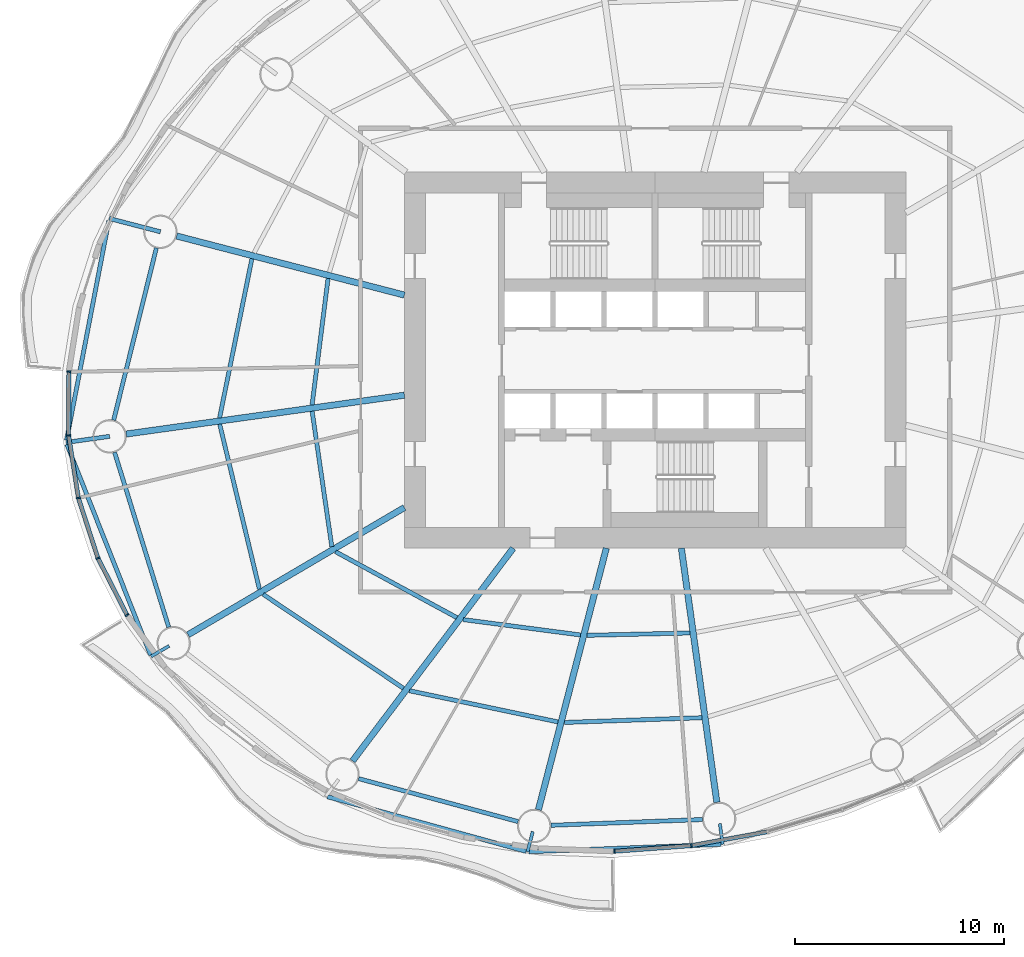
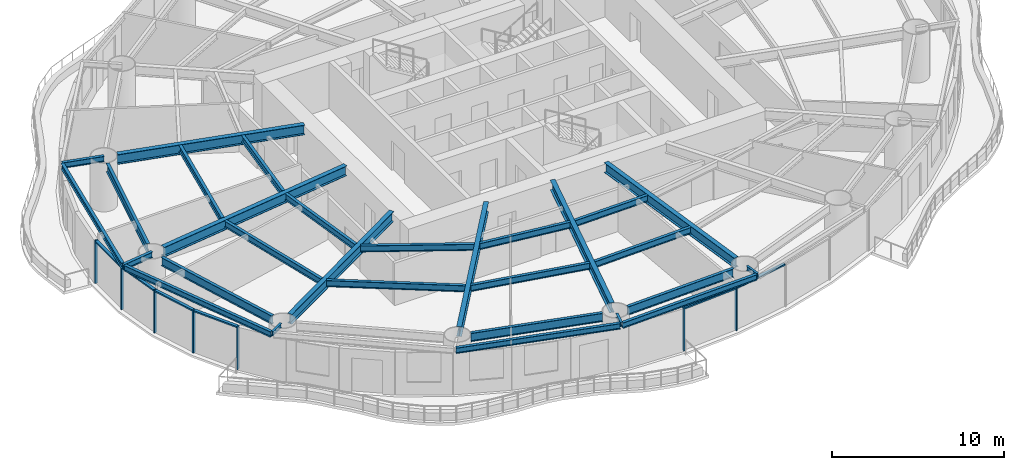
# One storey, part 2 of 16: 29 beams, 13 members, 6 elements without a shape of their own.
"""IFC4 building model written with IfcOpenShell, lengths in metres."""

import ifcopenshell
import ifcopenshell.guid

model = None  # the IFC model being written
_history = None  # IfcOwnerHistory: only IFC2X3 demands one
_inside = {}  # id of a spatial element -> (the spatial element, [elements in it])
_under = {}  # id of a project, library or spatial element -> (it, [spatial elements below it])
_declared = {}  # id of a project -> (the project, [libraries it declares])
_typed = {}  # id of a type object -> (the type object, [elements of that type])
_made_of = {}  # id of a material, layer set ... -> (it, [elements and type objects made of it])


def new_model(schema):
    """Start an empty IFC model of exactly this schema.

    Asked for "IFC4X3", IfcOpenShell would pick the latest addendum, in which some entities
    have other attributes; the version numbers below select the first issue.
    IFC2X3 requires an IfcOwnerHistory on every rooted entity: one is made here for all.
    """
    global model, _history
    if schema == "IFC4X3":
        model = ifcopenshell.file(schema_version=(4, 3, 0, 0))
    else:
        model = ifcopenshell.file(schema=schema)
    _inside.clear()
    _under.clear()
    _declared.clear()
    _typed.clear()
    _made_of.clear()
    _history = None
    if model.schema == "IFC2X3":
        org = make("IfcOrganization", Name="unknown")
        user = make(
            "IfcPersonAndOrganization",
            ThePerson=make("IfcPerson", FamilyName="unknown"),
            TheOrganization=org,
        )
        app = make(
            "IfcApplication",
            ApplicationDeveloper=org,
            Version="unknown",
            ApplicationFullName="unknown",
            ApplicationIdentifier="unknown",
        )
        _history = make(
            "IfcOwnerHistory",
            OwningUser=user,
            OwningApplication=app,
            ChangeAction="ADDED",
            CreationDate=0,
        )
    return model


def make(cls, **values):
    """One entity of the class cls with the attributes given. An attribute that is None is left unset."""
    return model.create_entity(
        cls, **{name: value for name, value in values.items() if value is not None}
    )


def rooted(cls, **values):
    """An entity with a GlobalId (a new one), such as an element, a storey or a relation."""
    return make(cls, GlobalId=ifcopenshell.guid.new(), OwnerHistory=_history, **values)


def si_unit(unit_type, name, prefix=None):
    """IfcSIUnit, for example si_unit("LENGTHUNIT", "METRE", prefix="MILLI")."""
    return make("IfcSIUnit", UnitType=unit_type, Prefix=prefix, Name=name)


def assignment(units):
    """IfcUnitAssignment: the units of a project."""
    return None if units is None else make("IfcUnitAssignment", Units=units)


def point(xyz):
    """IfcCartesianPoint."""
    return None if xyz is None else make("IfcCartesianPoint", Coordinates=xyz)


def direction(xyz):
    """IfcDirection."""
    return None if xyz is None else make("IfcDirection", DirectionRatios=xyz)


def frame(location, z_axis=None, x_axis=None):
    """IfcAxis2Placement3D, a coordinate frame: its origin and axes. An axis left out is left unset."""
    return make(
        "IfcAxis2Placement3D",
        Location=point(location),
        Axis=direction(z_axis),
        RefDirection=direction(x_axis),
    )


def frame_2d(location, x_axis=None):
    """IfcAxis2Placement2D, a coordinate frame in the plane: its origin and x axis."""
    return make(
        "IfcAxis2Placement2D", Location=point(location), RefDirection=direction(x_axis)
    )


def origin():
    """The frame at (0, 0, 0) with its axes left unset."""
    return frame((0.0, 0.0, 0.0))


def origin_2d():
    """The frame at (0, 0) in the plane with its x axis left unset."""
    return frame_2d((0.0, 0.0))


def place(relative_to, where):
    """IfcLocalPlacement: puts the frame where relative to a parent placement (None: the world)."""
    return make(
        "IfcLocalPlacement", PlacementRelTo=relative_to, RelativePlacement=where
    )


def context(
    kind, dimensions, precision=None, world=None, true_north=None, identifier=None
):
    """IfcGeometricRepresentationContext, for example the 3D "Model" context."""
    return make(
        "IfcGeometricRepresentationContext",
        ContextIdentifier=identifier,
        ContextType=kind,
        CoordinateSpaceDimension=dimensions,
        Precision=precision,
        WorldCoordinateSystem=world,
        TrueNorth=true_north,
    )


def subcontext(parent, identifier, kind, view, scale=None):
    """IfcGeometricRepresentationSubContext, for example "Body" below "Model"."""
    return make(
        "IfcGeometricRepresentationSubContext",
        ContextIdentifier=identifier,
        ContextType=kind,
        ParentContext=parent,
        TargetScale=scale,
        TargetView=view,
    )


def project(units=None, contexts=None):
    """IfcProject with its units and contexts."""
    return rooted(
        "IfcProject",
        Name="project",
        RepresentationContexts=contexts,
        UnitsInContext=assignment(units),
    )


def spatial(cls, under=None, at=None, **own):
    """A site, building, storey or space (cls), placed at a placement, below another one or the project."""
    s = rooted(cls, ObjectPlacement=at, **own)
    if under is not None:
        _under.setdefault(under.id(), (under, []))[1].append(s)
    return s


def profile(cls, at=None, kind="AREA", **sizes):
    """A parametric profile (cls). Its sizes go by their IFC names, for example OverallWidth=200.0."""
    return make(cls, ProfileType=kind, Position=at, **sizes)


def rectangle(**sizes):
    """IfcRectangleProfileDef."""
    return profile("IfcRectangleProfileDef", **sizes)


def i_section(**sizes):
    """IfcIShapeProfileDef."""
    return profile("IfcIShapeProfileDef", **sizes)


def extrude(swept, where, along, depth):
    """IfcExtrudedAreaSolid: the profile swept, set in the frame where, extruded along a direction by depth."""
    return make(
        "IfcExtrudedAreaSolid",
        SweptArea=swept,
        Position=where,
        ExtrudedDirection=direction(along),
        Depth=depth,
    )


def shape(context_of_items, identifier, shape_type, items):
    """IfcShapeRepresentation: the items that make up one representation, for example the "Body"."""
    return make(
        "IfcShapeRepresentation",
        ContextOfItems=context_of_items,
        RepresentationIdentifier=identifier,
        RepresentationType=shape_type,
        Items=items,
    )


def material(Name=None, Category=None):
    """IfcMaterial."""
    return make("IfcMaterial", Name=Name, Category=Category)


def material_profile(
    of_material, cross_section, Name=None, Category=None, Priority=None
):
    """IfcMaterialProfile: a cross section and its material."""
    return make(
        "IfcMaterialProfile",
        Name=Name,
        Material=of_material,
        Profile=cross_section,
        Priority=Priority,
        Category=Category,
    )


def profile_set(profiles, Name=None, composite=None):
    """IfcMaterialProfileSet."""
    return make(
        "IfcMaterialProfileSet",
        Name=Name,
        MaterialProfiles=profiles,
        CompositeProfile=composite,
    )


def made_of(thing, what):
    """Note that an element or type object is made of a material, layer set ...; save() writes the relation."""
    if what is not None:
        _made_of.setdefault(what.id(), (what, []))[1].append(thing)
    return thing


def type_object(cls, material=None, **own):
    """A type object (cls), such as IfcWallType, which elements share."""
    return made_of(rooted(cls, **own), material)


def element(
    cls,
    number,
    at=None,
    inside=None,
    cuts=None,
    type_object=None,
    material=None,
    context=None,
    identifier="Body",
    shape_type=None,
    held_by="IfcProductDefinitionShape",
    body=None,
    shapes=None,
    **own,
):
    """One element of the class cls, such as IfcWall. Its Tag is "e" and its number.

    at: its placement. inside: the storey or other place that contains it. cuts: it is an
    opening in that element (IfcRelVoidsElement). A single representation is given by context,
    identifier, shape_type and body (its items); several are given by shapes. held_by: the class
    of the entity that holds the representations. save() writes the other relations.
    """
    e = rooted(cls, Tag="e%d" % number, ObjectPlacement=at, **own)
    if body is not None:
        shapes = [shape(context, identifier, shape_type, body)]
    if shapes is not None:
        e.Representation = make(held_by, Representations=shapes)
    if inside is not None:
        _inside.setdefault(inside.id(), (inside, []))[1].append(e)
    if cuts is not None:
        rooted(
            "IfcRelVoidsElement", RelatingBuildingElement=cuts, RelatedOpeningElement=e
        )
    if type_object is not None:
        _typed.setdefault(type_object.id(), (type_object, []))[1].append(e)
    return made_of(e, material)


def aggregate(whole, parts):
    """IfcRelAggregates: a whole, such as a stair, and the parts it consists of."""
    return rooted("IfcRelAggregates", RelatingObject=whole, RelatedObjects=parts)


def save(model, path):
    """Write the relations noted so far, then the file.

    IfcRelAggregates (storeys below a building ...), IfcRelContainedInSpatialStructure (elements
    in a storey), IfcRelDefinesByType, IfcRelAssociatesMaterial and IfcRelDeclares: one each for
    every whole, place, type object, material and project.
    """
    for whole, parts in _under.values():
        aggregate(whole, parts)
    for where, things in _inside.values():
        rooted(
            "IfcRelContainedInSpatialStructure",
            RelatedElements=things,
            RelatingStructure=where,
        )
    for kind, things in _typed.values():
        rooted("IfcRelDefinesByType", RelatedObjects=things, RelatingType=kind)
    for what, things in _made_of.values():
        rooted("IfcRelAssociatesMaterial", RelatedObjects=things, RelatingMaterial=what)
    for by, libraries in _declared.values():
        rooted("IfcRelDeclares", RelatingContext=by, RelatedDefinitions=libraries)
    model.write(path)


model = new_model("IFC4")

# Units and contexts
model_context = context("Model", 3, precision=1e-05, world=origin(), true_north=direction((0.0, 1.0)))
body_context = subcontext(model_context, "Body", "Model", "MODEL_VIEW")
ifc_project = project(units=[si_unit("LENGTHUNIT", "METRE"), si_unit("AREAUNIT", "SQUARE_METRE"), si_unit("VOLUMEUNIT", "CUBIC_METRE"), si_unit("PLANEANGLEUNIT", "RADIAN"), si_unit("MASSUNIT", "GRAM", prefix="KILO")], contexts=[model_context])

# Site, building, storey
site_placement = place(None, origin())
site = spatial("IfcSite", under=ifc_project, at=site_placement, CompositionType="ELEMENT")
building_placement = place(site_placement, origin())
building = spatial("IfcBuilding", under=site, at=building_placement, Name="Vermilion Reach Broadcast Tower", CompositionType="ELEMENT")
storey_placement = place(building_placement, frame((0.0, 0.0, 88.60009765625)))
storey = spatial("IfcBuildingStorey", under=building, at=storey_placement, Name="L19", CompositionType="ELEMENT", Elevation=88.60009765625)

# Beams
ifc_material_1 = material(Name="Steel S355J2", Category="steel")
ifc_material_profile_1 = material_profile(ifc_material_1, i_section(OverallWidth=0.199951171875, OverallDepth=0.39990234375, WebThickness=0.008056640625, FlangeThickness=0.012939453125, at=origin_2d()), Name="S355J2 HN 400x200x8x13")
ifc_profile_set_1 = profile_set([ifc_material_profile_1], Name="Steel S355J2")
beam_type_1 = type_object("IfcBeamType", Name="EB2 HN 400x200x8x13", PredefinedType="BEAM", material=ifc_profile_set_1)
beam_1_placement = place(storey_placement, frame((-32.145751953125, 6.682861328125, 3.25), z_axis=(-0.189254914163, -0.981927989959, 0.0), x_axis=(0.981927989959, -0.189254914163, 0.0)))
element("IfcBeam", 1, at=beam_1_placement, inside=storey, type_object=beam_type_1, Name="Edge beam EB2-07", PredefinedType="BEAM", context=body_context, shape_type="SweptSolid", body=[
    extrude(i_section(OverallWidth=0.199951171875, OverallDepth=0.39990234375, WebThickness=0.008056640625, FlangeThickness=0.012939453125, at=origin_2d()), origin(), (0.0, 0.0, 1.0), 10.709716796875),
])
beam_2_placement = place(storey_placement, frame((-34.154541015625, -4.03271484375, 3.25), z_axis=(0.368963452636, -0.929443903966, 0.0), x_axis=(0.929443903966, 0.368963452636, 0.0)))
element("IfcBeam", 2, at=beam_2_placement, inside=storey, type_object=beam_type_1, Name="Edge beam EB2-08", PredefinedType="BEAM", context=body_context, shape_type="SweptSolid", body=[
    extrude(i_section(OverallWidth=0.199951171875, OverallDepth=0.39990234375, WebThickness=0.008056640625, FlangeThickness=0.012939453125, at=origin_2d()), origin(), (0.0, 0.0, 1.0), 10.844482421875),
])
beam_3_placement = place(storey_placement, frame((-21.68115234375, -20.896240234375, 3.25), z_axis=(0.964178310585, -0.265254944152, 0.0), x_axis=(0.265254944152, 0.964178310585, 0.0)))
element("IfcBeam", 3, at=beam_3_placement, inside=storey, type_object=beam_type_1, Name="Edge beam EB2-10", PredefinedType="BEAM", context=body_context, shape_type="SweptSolid", body=[
    extrude(i_section(OverallWidth=0.199951171875, OverallDepth=0.39990234375, WebThickness=0.008056640625, FlangeThickness=0.012939453125, at=origin_2d()), origin(), (0.0, 0.0, 1.0), 9.854736328125),
])
beam_4_placement = place(storey_placement, frame((-12.029052734375, -23.527099609375, 3.25), z_axis=(0.999265989975, 0.038307718274, 0.0), x_axis=(-0.038307718274, 0.999265989975, 0.0)))
element("IfcBeam", 4, at=beam_4_placement, inside=storey, type_object=beam_type_1, Name="Edge beam EB2-11", PredefinedType="BEAM", context=body_context, shape_type="SweptSolid", body=[
    extrude(i_section(OverallWidth=0.199951171875, OverallDepth=0.39990234375, WebThickness=0.008056640625, FlangeThickness=0.012939453125, at=origin_2d()), origin(), (0.0, 0.0, 1.0), 9.196533203125),
])
ifc_material_2 = material(Name="Steel S355J2", Category="steel")
ifc_material_profile_2 = material_profile(ifc_material_2, i_section(OverallWidth=0.300048828125, OverallDepth=0.699951171875, WebThickness=0.012939453125, FlangeThickness=0.02392578125, at=origin_2d()), Name="S355J2 HN 700x300x13x24")
ifc_profile_set_2 = profile_set([ifc_material_profile_2], Name="Steel S355J2")
beam_type_2 = type_object("IfcBeamType", Name="G2 HN 700x300x13x24", PredefinedType="BEAM", material=ifc_profile_set_2)
beam_5_placement = place(storey_placement, frame((-18.0, 3.114501953125, 3.099853515625), z_axis=(-0.967926079816, 0.2512351568, 0.0), x_axis=(-0.2512351568, -0.967926079816, 0.0)))
element("IfcBeam", 5, at=beam_5_placement, inside=storey, type_object=beam_type_2, Name="Girder G2-07", PredefinedType="BEAM", context=body_context, shape_type="SweptSolid", body=[
    extrude(i_section(OverallWidth=0.300048828125, OverallDepth=0.699951171875, WebThickness=0.012939453125, FlangeThickness=0.02392578125, at=origin_2d()), origin(), (0.0, 0.0, 1.0), 11.265625),
])
beam_6_placement = place(storey_placement, frame((-18.0, -1.67578125, 3.099853515625), z_axis=(-0.990389457618, -0.138306623986, 0.0), x_axis=(0.138306623986, -0.990389457618, 0.0)))
element("IfcBeam", 6, at=beam_6_placement, inside=storey, type_object=beam_type_2, Name="Girder G2-08", PredefinedType="BEAM", context=body_context, shape_type="SweptSolid", body=[
    extrude(i_section(OverallWidth=0.300048828125, OverallDepth=0.699951171875, WebThickness=0.012939453125, FlangeThickness=0.02392578125, at=origin_2d()), origin(), (0.0, 0.0, 1.0), 13.445556640625),
])
beam_7_placement = place(storey_placement, frame((-18.0, -7.054443359375, 3.099853515625), z_axis=(-0.862071616631, -0.506786471603, 0.0), x_axis=(0.506786471603, -0.862071616631, 0.0)))
element("IfcBeam", 7, at=beam_7_placement, inside=storey, type_object=beam_type_2, Name="Girder G2-09", PredefinedType="BEAM", context=body_context, shape_type="SweptSolid", body=[
    extrude(i_section(OverallWidth=0.300048828125, OverallDepth=0.699951171875, WebThickness=0.012939453125, FlangeThickness=0.02392578125, at=origin_2d()), origin(), (0.0, 0.0, 1.0), 12.01025390625),
])
beam_8_placement = place(storey_placement, frame((-12.794189453125, -9.0, 3.099853515625), z_axis=(-0.602519842365, -0.798103902733, 0.0), x_axis=(0.798103902733, -0.602519842365, 0.0)))
element("IfcBeam", 8, at=beam_8_placement, inside=storey, type_object=beam_type_2, Name="Girder G2-10", PredefinedType="BEAM", context=body_context, shape_type="SweptSolid", body=[
    extrude(i_section(OverallWidth=0.300048828125, OverallDepth=0.699951171875, WebThickness=0.012939453125, FlangeThickness=0.02392578125, at=origin_2d()), origin(), (0.0, 0.0, 1.0), 12.758544921875),
])
beam_9_placement = place(storey_placement, frame((-8.3359375, -9.0, 3.099853515625), z_axis=(-0.25121695316, -0.967930804575, 0.0), x_axis=(0.967930804575, -0.25121695316, 0.0)))
element("IfcBeam", 9, at=beam_9_placement, inside=storey, type_object=beam_type_2, Name="Girder G2-11", PredefinedType="BEAM", context=body_context, shape_type="SweptSolid", body=[
    extrude(i_section(OverallWidth=0.300048828125, OverallDepth=0.699951171875, WebThickness=0.012939453125, FlangeThickness=0.02392578125, at=origin_2d()), origin(), (0.0, 0.0, 1.0), 12.93505859375),
])
beam_10_placement = place(storey_placement, frame((-4.7431640625, -9.0, 3.099853515625), z_axis=(0.138317561234, -0.990387930184, 0.0), x_axis=(0.990387930184, 0.138317561234, 0.0)))
element("IfcBeam", 10, at=beam_10_placement, inside=storey, type_object=beam_type_2, Name="Girder G2-12", PredefinedType="BEAM", context=body_context, shape_type="SweptSolid", body=[
    extrude(i_section(OverallWidth=0.300048828125, OverallDepth=0.699951171875, WebThickness=0.012939453125, FlangeThickness=0.02392578125, at=origin_2d()), origin(), (0.0, 0.0, 1.0), 12.281494140625),
])
ifc_material_3 = material(Name="Steel S355J2", Category="steel")
ifc_material_profile_3 = material_profile(ifc_material_3, i_section(OverallWidth=0.199951171875, OverallDepth=0.39990234375, WebThickness=0.008056640625, FlangeThickness=0.012939453125, at=origin_2d()), Name="S355J2 HN 400x200x8x13")
ifc_profile_set_3 = profile_set([ifc_material_profile_3], Name="Steel S355J2")
beam_type_3 = type_object("IfcBeamType", Name="GC2 HN 400x200x8x13", PredefinedType="BEAM", material=ifc_profile_set_3)
beam_11_placement = place(storey_placement, frame((-29.6787109375, 6.145751953125, 3.25), z_axis=(-0.96792303802, 0.251246875545, 0.0), x_axis=(-0.251246875545, -0.96792303802, 0.0)))
element("IfcBeam", 11, at=beam_11_placement, inside=storey, type_object=beam_type_3, Name="Cantilever girder GC2-07", PredefinedType="BEAM", context=body_context, shape_type="SweptSolid", body=[
    extrude(i_section(OverallWidth=0.199951171875, OverallDepth=0.39990234375, WebThickness=0.008056640625, FlangeThickness=0.012939453125, at=origin_2d()), origin(), (0.0, 0.0, 1.0), 2.529296875),
])
beam_12_placement = place(storey_placement, frame((-32.10888671875, -3.646240234375, 3.25), z_axis=(-0.990403787257, -0.138203973125, 0.0), x_axis=(0.138203973125, -0.990403787257, 0.0)))
element("IfcBeam", 12, at=beam_12_placement, inside=storey, type_object=beam_type_3, Name="Cantilever girder GC2-08", PredefinedType="BEAM", context=body_context, shape_type="SweptSolid", body=[
    extrude(i_section(OverallWidth=0.199951171875, OverallDepth=0.39990234375, WebThickness=0.008056640625, FlangeThickness=0.012939453125, at=origin_2d()), origin(), (0.0, 0.0, 1.0), 2.10400390625),
])
ifc_material_4 = material(Name="Steel S355J2", Category="steel")
ifc_material_profile_4 = material_profile(ifc_material_4, i_section(OverallWidth=0.14990234375, OverallDepth=0.300048828125, WebThickness=0.006591796875, FlangeThickness=0.009033203125, at=origin_2d()), Name="S355J2 HN 300x150x6.5x9")
ifc_profile_set_4 = profile_set([ifc_material_profile_4], Name="Steel S355J2")
beam_type_4 = type_object("IfcBeamType", Name="GS2 HN 300x150x6.5x9", PredefinedType="BEAM", material=ifc_profile_set_4)
beam_13_placement = place(storey_placement, frame((-29.26318359375, -13.67578125, 3.2998046875), z_axis=(-0.862047161964, -0.506828068037, 0.0), x_axis=(0.506828068037, -0.862047161964, 0.0)))
element("IfcBeam", 13, at=beam_13_placement, inside=storey, type_object=beam_type_4, Name="Cantilever stub GS2-09", PredefinedType="BEAM", context=body_context, shape_type="SweptSolid", body=[
    extrude(i_section(OverallWidth=0.14990234375, OverallDepth=0.300048828125, WebThickness=0.006591796875, FlangeThickness=0.009033203125, at=origin_2d()), origin(), (0.0, 0.0, 1.0), 1.0),
])
beam_14_placement = place(storey_placement, frame((-11.85595703125, -22.562255859375, 3.2998046875), z_axis=(-0.251258738033, -0.967919958758, 0.0), x_axis=(0.967919958758, -0.251258738033, 0.0)))
element("IfcBeam", 14, at=beam_14_placement, inside=storey, type_object=beam_type_4, Name="Cantilever stub GS2-11", PredefinedType="BEAM", context=body_context, shape_type="SweptSolid", body=[
    extrude(i_section(OverallWidth=0.14990234375, OverallDepth=0.300048828125, WebThickness=0.006591796875, FlangeThickness=0.009033203125, at=origin_2d()), origin(), (0.0, 0.0, 1.0), 0.999755859375),
])
beam_15_placement = place(storey_placement, frame((-2.90234375, -22.181640625, 3.2998046875), z_axis=(0.138413206764, -0.990374567622, 0.0), x_axis=(0.990374567622, 0.138413206764, 0.0)))
element("IfcBeam", 15, at=beam_15_placement, inside=storey, type_object=beam_type_4, Name="Cantilever stub GS2-12", PredefinedType="BEAM", context=body_context, shape_type="SweptSolid", body=[
    extrude(i_section(OverallWidth=0.14990234375, OverallDepth=0.300048828125, WebThickness=0.006591796875, FlangeThickness=0.009033203125, at=origin_2d()), origin(), (0.0, 0.0, 1.0), 1.0),
])
ifc_material_5 = material(Name="Steel S355J2", Category="steel")
ifc_material_profile_5 = material_profile(ifc_material_5, i_section(OverallWidth=0.199951171875, OverallDepth=0.60009765625, WebThickness=0.010986328125, FlangeThickness=0.01708984375, at=origin_2d()), Name="S355J2 HN 600x200x11x17")
ifc_profile_set_5 = profile_set([ifc_material_profile_5], Name="Steel S355J2")
beam_type_5 = type_object("IfcBeamType", Name="RB2 HN 600x200x11x17", PredefinedType="BEAM", material=ifc_profile_set_5)
beam_16_placement = place(storey_placement, frame((-29.871337890625, 5.369384765625, 3.14990234375), z_axis=(-0.240863809798, -0.970558924089, 0.0), x_axis=(0.970558924089, -0.240863809798, 0.0)))
element("IfcBeam", 16, at=beam_16_placement, inside=storey, type_object=beam_type_5, Name="Ring beam RB2-07", PredefinedType="BEAM", context=body_context, shape_type="SweptSolid", body=[
    extrude(i_section(OverallWidth=0.199951171875, OverallDepth=0.60009765625, WebThickness=0.010986328125, FlangeThickness=0.01708984375, at=origin_2d()), origin(), (0.0, 0.0, 1.0), 8.489013671875),
])
beam_17_placement = place(storey_placement, frame((-31.872314453125, -4.410400390625, 3.14990234375), z_axis=(0.295788439635, -0.95525347368, 0.0), x_axis=(0.95525347368, 0.295788439635, 0.0)))
element("IfcBeam", 17, at=beam_17_placement, inside=storey, type_object=beam_type_5, Name="Ring beam RB2-08", PredefinedType="BEAM", context=body_context, shape_type="SweptSolid", body=[
    extrude(i_section(OverallWidth=0.199951171875, OverallDepth=0.60009765625, WebThickness=0.010986328125, FlangeThickness=0.01708984375, at=origin_2d()), origin(), (0.0, 0.0, 1.0), 8.763916015625),
])
beam_18_placement = place(storey_placement, frame((-20.19091796875, -20.029296875, 3.14990234375), z_axis=(0.965541463834, -0.260249268234, 0.0), x_axis=(0.260249268234, 0.965541463834, 0.0)))
element("IfcBeam", 18, at=beam_18_placement, inside=storey, type_object=beam_type_5, Name="Ring beam RB2-10", PredefinedType="BEAM", context=body_context, shape_type="SweptSolid", body=[
    extrude(i_section(OverallWidth=0.199951171875, OverallDepth=0.60009765625, WebThickness=0.010986328125, FlangeThickness=0.01708984375, at=origin_2d()), origin(), (0.0, 0.0, 1.0), 7.904541015625),
])
beam_19_placement = place(storey_placement, frame((-10.987060546875, -22.263916015625, 3.14990234375), z_axis=(0.999268558327, 0.038240663418, 0.0), x_axis=(-0.038240663418, 0.999268558327, 0.0)))
element("IfcBeam", 19, at=beam_19_placement, inside=storey, type_object=beam_type_5, Name="Ring beam RB2-11", PredefinedType="BEAM", context=body_context, shape_type="SweptSolid", body=[
    extrude(i_section(OverallWidth=0.199951171875, OverallDepth=0.60009765625, WebThickness=0.010986328125, FlangeThickness=0.01708984375, at=origin_2d()), origin(), (0.0, 0.0, 1.0), 7.259033203125),
])
ifc_material_6 = material(Name="Steel S355J2", Category="steel")
ifc_material_profile_6 = material_profile(ifc_material_6, i_section(OverallWidth=0.199951171875, OverallDepth=0.449951171875, WebThickness=0.009033203125, FlangeThickness=0.013916015625, at=origin_2d()), Name="S355J2 HN 450x200x9x14")
ifc_profile_set_6 = profile_set([ifc_material_profile_6], Name="Steel S355J2")
beam_type_6 = type_object("IfcBeamType", Name="SB2 HN 450x200x9x14", PredefinedType="BEAM", material=ifc_profile_set_6)
beam_20_placement = place(storey_placement, frame((-21.65380859375, 3.907958984375, 3.224853515625), z_axis=(-0.125557241128, -0.992086376885, 0.0), x_axis=(0.992086376885, -0.125557241128, 0.0)))
element("IfcBeam", 20, at=beam_20_placement, inside=storey, type_object=beam_type_6, Name="Secondary beam SB2-07-1", PredefinedType="BEAM", context=body_context, shape_type="SweptSolid", body=[
    extrude(i_section(OverallWidth=0.199951171875, OverallDepth=0.449951171875, WebThickness=0.009033203125, FlangeThickness=0.013916015625, at=origin_2d()), origin(), (0.0, 0.0, 1.0), 6.097900390625),
])
beam_21_placement = place(storey_placement, frame((-25.29931640625, 4.854248046875, 3.224853515625), z_axis=(-0.19906416804, -0.979986457561, 0.0), x_axis=(0.979986457561, -0.19906416804, 0.0)))
element("IfcBeam", 21, at=beam_21_placement, inside=storey, type_object=beam_type_6, Name="Secondary beam SB2-07-2", PredefinedType="BEAM", context=body_context, shape_type="SweptSolid", body=[
    extrude(i_section(OverallWidth=0.199951171875, OverallDepth=0.449951171875, WebThickness=0.009033203125, FlangeThickness=0.013916015625, at=origin_2d()), origin(), (0.0, 0.0, 1.0), 7.76953125),
])
beam_22_placement = place(storey_placement, frame((-22.417236328125, -2.444091796875, 3.224853515625), z_axis=(0.143973706518, -0.989581513485, 0.0), x_axis=(0.989581513485, 0.143973706518, 0.0)))
element("IfcBeam", 22, at=beam_22_placement, inside=storey, type_object=beam_type_6, Name="Secondary beam SB2-08-1", PredefinedType="BEAM", context=body_context, shape_type="SweptSolid", body=[
    extrude(i_section(OverallWidth=0.199951171875, OverallDepth=0.449951171875, WebThickness=0.009033203125, FlangeThickness=0.013916015625, at=origin_2d()), origin(), (0.0, 0.0, 1.0), 6.547119140625),
])
beam_23_placement = place(storey_placement, frame((-26.84228515625, -3.06201171875, 3.224853515625), z_axis=(0.234260568382, -0.972173845617, 0.0), x_axis=(0.972173845617, 0.234260568382, 0.0)))
element("IfcBeam", 23, at=beam_23_placement, inside=storey, type_object=beam_type_6, Name="Secondary beam SB2-08-2", PredefinedType="BEAM", context=body_context, shape_type="SweptSolid", body=[
    extrude(i_section(OverallWidth=0.199951171875, OverallDepth=0.449951171875, WebThickness=0.009033203125, FlangeThickness=0.013916015625, at=origin_2d()), origin(), (0.0, 0.0, 1.0), 8.123779296875),
])
beam_24_placement = place(storey_placement, frame((-21.29736328125, -9.1669921875, 3.224853515625), z_axis=(0.878713106774, -0.477350265512, 0.0), x_axis=(0.477350265512, 0.878713106774, 0.0)))
element("IfcBeam", 24, at=beam_24_placement, inside=storey, type_object=beam_type_6, Name="Secondary beam SB2-09-1", PredefinedType="BEAM", context=body_context, shape_type="SweptSolid", body=[
    extrude(i_section(OverallWidth=0.199951171875, OverallDepth=0.449951171875, WebThickness=0.009033203125, FlangeThickness=0.013916015625, at=origin_2d()), origin(), (0.0, 0.0, 1.0), 6.60888671875),
])
beam_25_placement = place(storey_placement, frame((-24.76416015625, -11.204833984375, 3.224853515625), z_axis=(0.830915400975, -0.556398774641, 0.0), x_axis=(0.556398774641, 0.830915400975, 0.0)))
element("IfcBeam", 25, at=beam_25_placement, inside=storey, type_object=beam_type_6, Name="Secondary beam SB2-09-2", PredefinedType="BEAM", context=body_context, shape_type="SweptSolid", body=[
    extrude(i_section(OverallWidth=0.199951171875, OverallDepth=0.449951171875, WebThickness=0.009033203125, FlangeThickness=0.013916015625, at=origin_2d()), origin(), (0.0, 0.0, 1.0), 8.087646484375),
])
beam_26_placement = place(storey_placement, frame((-15.185546875, -12.416748046875, 3.224853515625), z_axis=(0.991498686864, -0.130116693573, 0.0), x_axis=(0.130116693573, 0.991498686864, 0.0)))
element("IfcBeam", 26, at=beam_26_placement, inside=storey, type_object=beam_type_6, Name="Secondary beam SB2-10-1", PredefinedType="BEAM", context=body_context, shape_type="SweptSolid", body=[
    extrude(i_section(OverallWidth=0.199951171875, OverallDepth=0.449951171875, WebThickness=0.009033203125, FlangeThickness=0.013916015625, at=origin_2d()), origin(), (0.0, 0.0, 1.0), 5.66455078125),
])
beam_27_placement = place(storey_placement, frame((-17.7568359375, -15.822509765625, 3.224853515625), z_axis=(0.978631382549, -0.205622511148, 0.0), x_axis=(0.205622511148, 0.978631382549, 0.0)))
element("IfcBeam", 27, at=beam_27_placement, inside=storey, type_object=beam_type_6, Name="Secondary beam SB2-10-2", PredefinedType="BEAM", context=body_context, shape_type="SweptSolid", body=[
    extrude(i_section(OverallWidth=0.199951171875, OverallDepth=0.449951171875, WebThickness=0.009033203125, FlangeThickness=0.013916015625, at=origin_2d()), origin(), (0.0, 0.0, 1.0), 7.262939453125),
])
beam_28_placement = place(storey_placement, frame((-9.26318359375, -13.169921875, 3.224853515625), z_axis=(0.999742320425, 0.022700060602, 0.0), x_axis=(-0.022700060602, 0.999742320425, 0.0)))
element("IfcBeam", 28, at=beam_28_placement, inside=storey, type_object=beam_type_6, Name="Secondary beam SB2-11-1", PredefinedType="BEAM", context=body_context, shape_type="SweptSolid", body=[
    extrude(i_section(OverallWidth=0.199951171875, OverallDepth=0.449951171875, WebThickness=0.009033203125, FlangeThickness=0.013916015625, at=origin_2d()), origin(), (0.0, 0.0, 1.0), 4.9365234375),
])
beam_29_placement = place(storey_placement, frame((-10.345947265625, -17.34130859375, 3.224853515625), z_axis=(0.999404722387, 0.03449928797, 0.0), x_axis=(-0.03449928797, 0.999404722387, 0.0)))
element("IfcBeam", 29, at=beam_29_placement, inside=storey, type_object=beam_type_6, Name="Secondary beam SB2-11-2", PredefinedType="BEAM", context=body_context, shape_type="SweptSolid", body=[
    extrude(i_section(OverallWidth=0.199951171875, OverallDepth=0.449951171875, WebThickness=0.009033203125, FlangeThickness=0.013916015625, at=origin_2d()), origin(), (0.0, 0.0, 1.0), 6.58837890625),
])

# Curtain wall, member
ifc_material_7 = material(Name="Low-e laminated clear glass in aluminium frame", Category="aluminium")
curtain_wall_type = type_object("IfcCurtainWallType", Name="Slot curtain wall", PredefinedType="NOTDEFINED", material=ifc_material_7)
placement = place(storey_placement, origin())
curtain_wall_1 = element("IfcCurtainWall", 30, at=placement, inside=storey, type_object=curtain_wall_type, Name="Slot curtain wall L19 22", PredefinedType="NOTDEFINED")
ifc_material_8 = material(Name="Anodised aluminium", Category="aluminium")
ifc_material_profile_7 = material_profile(ifc_material_8, rectangle(XDim=0.199951171875, YDim=0.080078125, at=origin_2d()), Name="Slot mullion 80 x 200")
ifc_profile_set_7 = profile_set([ifc_material_profile_7], Name="Anodised aluminium")
member_type_1 = type_object("IfcMemberType", Name="Slot mullion 80 x 200", PredefinedType="MULLION", material=ifc_profile_set_7)
member_1_placement = place(storey_placement, frame((-34.061279296875, -0.547119140625, 0.0), z_axis=(0.0, 0.0, 1.0), x_axis=(0.996731910355, -0.080780560043, 0.0)))
member_1 = element("IfcMember", 31, at=member_1_placement, type_object=member_type_1, Name="Slot mullion L19 22", PredefinedType="MULLION", context=body_context, shape_type="SweptSolid", body=[
    extrude(rectangle(XDim=0.199951171875, YDim=0.080078125, at=origin_2d()), origin(), (0.0, 0.0, 1.0), 3.0498046875),
])

curtain_wall_2 = element("IfcCurtainWall", 32, at=placement, inside=storey, type_object=curtain_wall_type, Name="Slot curtain wall L19 23", PredefinedType="NOTDEFINED")
member_2_placement = place(storey_placement, frame((-34.072265625, -3.603271484375, 0.0), z_axis=(0.0, 0.0, 1.0), x_axis=(0.997144259613, 0.075520364941, 0.0)))
member_2 = element("IfcMember", 33, at=member_2_placement, type_object=member_type_1, Name="Slot mullion L19 23", PredefinedType="MULLION", context=body_context, shape_type="SweptSolid", body=[
    extrude(rectangle(XDim=0.199951171875, YDim=0.080078125, at=origin_2d()), origin(), (0.0, 0.0, 1.0), 3.0498046875),
])

curtain_wall_3 = element("IfcCurtainWall", 34, at=placement, inside=storey, type_object=curtain_wall_type, Name="Slot curtain wall L19 24", PredefinedType="NOTDEFINED")
member_3_placement = place(storey_placement, frame((-33.605224609375, -6.596923828125, 0.0), z_axis=(0.0, 0.0, 1.0), x_axis=(0.972613849465, 0.232426977412, 0.0)))
member_3 = element("IfcMember", 35, at=member_3_placement, type_object=member_type_1, Name="Slot mullion L19 24", PredefinedType="MULLION", context=body_context, shape_type="SweptSolid", body=[
    extrude(rectangle(XDim=0.199951171875, YDim=0.080078125, at=origin_2d()), origin(), (0.0, 0.0, 1.0), 3.0498046875),
])

# Curtain wall, members
curtain_wall_4 = element("IfcCurtainWall", 36, at=placement, inside=storey, type_object=curtain_wall_type, Name="Slot curtain wall L19 25", PredefinedType="NOTDEFINED")
member_4_placement = place(storey_placement, frame((-32.668212890625, -9.478271484375, 0.0), z_axis=(0.0, 0.0, 1.0), x_axis=(0.923552713179, 0.383471493048, 0.0)))
member_4 = element("IfcMember", 37, at=member_4_placement, type_object=member_type_1, Name="Slot mullion L19 25", PredefinedType="MULLION", context=body_context, shape_type="SweptSolid", body=[
    extrude(rectangle(XDim=0.199951171875, YDim=0.080078125, at=origin_2d()), origin(), (0.0, 0.0, 1.0), 3.0498046875),
])
member_5_placement = place(storey_placement, frame((-31.27685546875, -12.198974609375, 0.0), z_axis=(0.0, 0.0, 1.0), x_axis=(0.852517637717, 0.522698457413, 0.0)))
member_5 = element("IfcMember", 38, at=member_5_placement, type_object=member_type_1, Name="Slot mullion L19 26", PredefinedType="MULLION", context=body_context, shape_type="SweptSolid", body=[
    extrude(rectangle(XDim=0.199951171875, YDim=0.080078125, at=origin_2d()), origin(), (0.0, 0.0, 1.0), 3.0498046875),
])

# Curtain wall, member
curtain_wall_5 = element("IfcCurtainWall", 39, at=placement, inside=storey, type_object=curtain_wall_type, Name="Slot curtain wall L19 34", PredefinedType="NOTDEFINED")
member_6_placement = place(storey_placement, frame((-7.948974609375, -23.506591796875, 0.0), z_axis=(0.0, 0.0, 1.0), x_axis=(-0.01813302102, 0.999835583258, 0.0)))
member_6 = element("IfcMember", 40, at=member_6_placement, type_object=member_type_1, Name="Slot mullion L19 34", PredefinedType="MULLION", context=body_context, shape_type="SweptSolid", body=[
    extrude(rectangle(XDim=0.199951171875, YDim=0.080078125, at=origin_2d()), origin(), (0.0, 0.0, 1.0), 3.0498046875),
])

curtain_wall_6 = element("IfcCurtainWall", 41, at=placement, inside=storey, type_object=curtain_wall_type, Name="Slot curtain wall L19 35", PredefinedType="NOTDEFINED")
member_7_placement = place(storey_placement, frame((-4.26318359375, -23.237060546875, 0.0), z_axis=(0.0, 0.0, 1.0), x_axis=(-0.126615571152, 0.991951862311, 0.0)))
member_7 = element("IfcMember", 42, at=member_7_placement, type_object=member_type_1, Name="Slot mullion L19 35", PredefinedType="MULLION", context=body_context, shape_type="SweptSolid", body=[
    extrude(rectangle(XDim=0.199951171875, YDim=0.080078125, at=origin_2d()), origin(), (0.0, 0.0, 1.0), 3.0498046875),
])

# Member
ifc_material_9 = material(Name="Anodised aluminium", Category="aluminium")
ifc_material_profile_8 = material_profile(ifc_material_9, rectangle(XDim=0.199951171875, YDim=0.10009765625, at=origin_2d()), Name="Slot transom 200 x 100")
ifc_profile_set_8 = profile_set([ifc_material_profile_8], Name="Anodised aluminium")
member_type_2 = type_object("IfcMemberType", Name="Slot transom 200 x 100", PredefinedType="USERDEFINED", material=ifc_profile_set_8)
member_8_placement = place(storey_placement, frame((-34.0615234375, -0.587158203125, 3.0), z_axis=(-0.003527459596, -0.999993778495, 0.0), x_axis=(0.999993778495, -0.003527459596, 0.0)))
member_8 = element("IfcMember", 43, at=member_8_placement, type_object=member_type_2, Name="Slot transom L19 22.1", ObjectType="TRANSOM", PredefinedType="USERDEFINED", context=body_context, shape_type="SweptSolid", body=[
    extrude(rectangle(XDim=0.199951171875, YDim=0.10009765625, at=origin_2d()), origin(), (0.0, 0.0, 1.0), 2.97607421875),
])

aggregate(curtain_wall_1, [member_1, member_8])

member_9_placement = place(storey_placement, frame((-34.066162109375, -3.642578125, 3.0), z_axis=(0.154177438374, -0.988043175927, 0.0), x_axis=(0.988043175927, 0.154177438374, 0.0)))
member_9 = element("IfcMember", 44, at=member_9_placement, type_object=member_type_2, Name="Slot transom L19 23.1", ObjectType="TRANSOM", PredefinedType="USERDEFINED", context=body_context, shape_type="SweptSolid", body=[
    extrude(rectangle(XDim=0.199951171875, YDim=0.10009765625, at=origin_2d()), origin(), (0.0, 0.0, 1.0), 2.949951171875),
])

aggregate(curtain_wall_2, [member_2, member_9])

member_10_placement = place(storey_placement, frame((-33.5927734375, -6.635009765625, 3.0), z_axis=(0.309217074081, -0.950991483188, 0.0), x_axis=(0.950991483188, 0.309217074081, 0.0)))
member_10 = element("IfcMember", 45, at=member_10_placement, type_object=member_type_2, Name="Slot transom L19 24.1", ObjectType="TRANSOM", PredefinedType="USERDEFINED", context=body_context, shape_type="SweptSolid", body=[
    extrude(rectangle(XDim=0.199951171875, YDim=0.10009765625, at=origin_2d()), origin(), (0.0, 0.0, 1.0), 2.94970703125),
])

aggregate(curtain_wall_3, [member_3, member_10])

member_11_placement = place(storey_placement, frame((-32.650146484375, -9.513916015625, 3.0), z_axis=(0.455300400657, -0.890337882582, 0.0), x_axis=(0.890337882582, 0.455300400657, 0.0)))
member_11 = element("IfcMember", 46, at=member_11_placement, type_object=member_type_2, Name="Slot transom L19 25.1", ObjectType="TRANSOM", PredefinedType="USERDEFINED", context=body_context, shape_type="SweptSolid", body=[
    extrude(rectangle(XDim=0.199951171875, YDim=0.10009765625, at=origin_2d()), origin(), (0.0, 0.0, 1.0), 2.97607421875),
])

aggregate(curtain_wall_4, [member_4, member_5, member_11])

member_12_placement = place(storey_placement, frame((-7.9091796875, -23.503662109375, 3.0), z_axis=(0.997337677439, 0.072921582265, 0.0), x_axis=(-0.072921582265, 0.997337677439, 0.0)))
member_12 = element("IfcMember", 47, at=member_12_placement, type_object=member_type_2, Name="Slot transom L19 34.1", ObjectType="TRANSOM", PredefinedType="USERDEFINED", context=body_context, shape_type="SweptSolid", body=[
    extrude(rectangle(XDim=0.199951171875, YDim=0.10009765625, at=origin_2d()), origin(), (0.0, 0.0, 1.0), 3.61572265625),
])

aggregate(curtain_wall_5, [member_6, member_12])

member_13_placement = place(storey_placement, frame((-4.223876953125, -23.22998046875, 3.0), z_axis=(0.983672769634, 0.179966336522, 0.0), x_axis=(-0.179966336522, 0.983672769634, 0.0)))
member_13 = element("IfcMember", 48, at=member_13_placement, type_object=member_type_2, Name="Slot transom L19 35.1", ObjectType="TRANSOM", PredefinedType="USERDEFINED", context=body_context, shape_type="SweptSolid", body=[
    extrude(rectangle(XDim=0.199951171875, YDim=0.10009765625, at=origin_2d()), origin(), (0.0, 0.0, 1.0), 3.636962890625),
])

aggregate(curtain_wall_6, [member_7, member_13])

save(model, "model.ifc")
